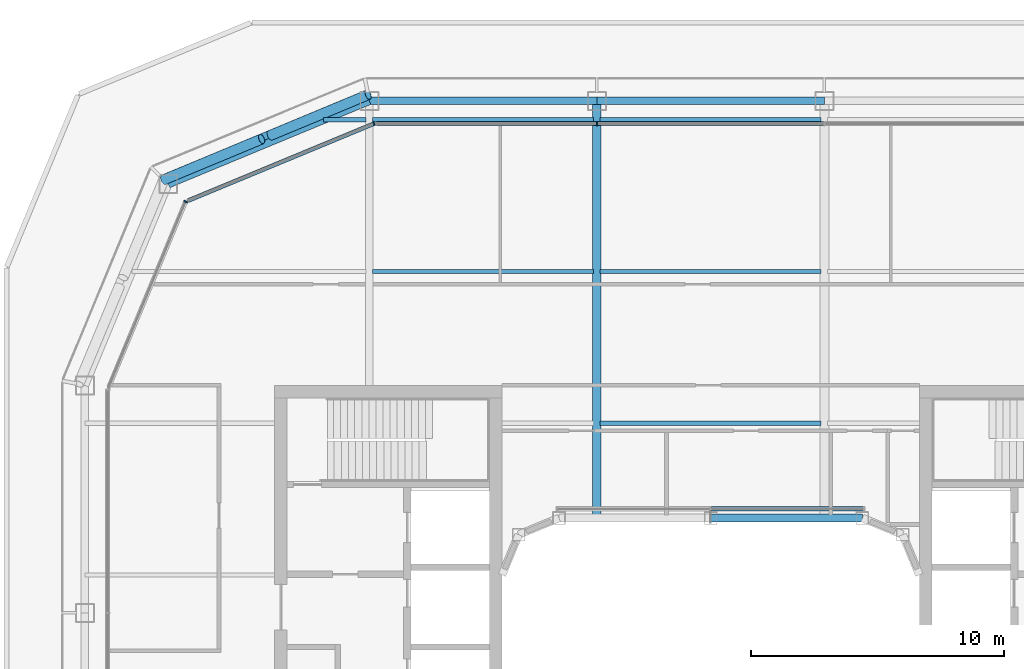
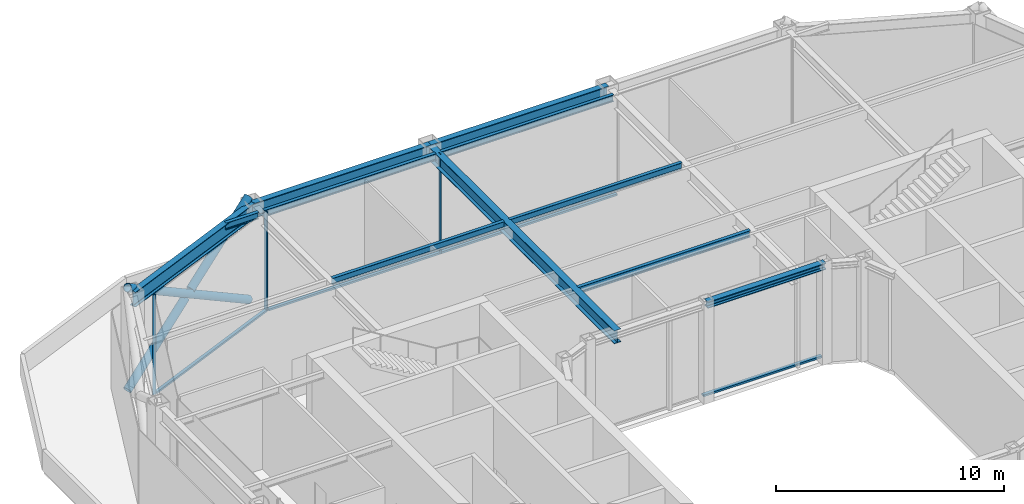
# One storey, part 7 of 17: 11 beams, 10 members, 4 elements without a shape of their own.
"""IFC4 building model written with IfcOpenShell, lengths in metres."""

from ifc_helpers import new_model, si_unit, direction, frame, origin, origin_2d, place, context, subcontext, project, spatial, rectangle, hollow_circle, i_section, extrude, material, layer, layer_set, material_profile, profile_set, type_object, element, aggregate, save


model = new_model("IFC4")

# Units and contexts
model_context = context("Model", 3, precision=1e-05, world=origin(), true_north=direction((0.0, 1.0)))
body_context = subcontext(model_context, "Body", "Model", "MODEL_VIEW")
ifc_project = project(units=[si_unit("LENGTHUNIT", "METRE"), si_unit("AREAUNIT", "SQUARE_METRE"), si_unit("VOLUMEUNIT", "CUBIC_METRE"), si_unit("PLANEANGLEUNIT", "RADIAN"), si_unit("MASSUNIT", "GRAM", prefix="KILO")], contexts=[model_context])

# Site, building, storey
site_placement = place(None, origin())
site = spatial("IfcSite", under=ifc_project, at=site_placement, CompositionType="ELEMENT")
building_placement = place(site_placement, origin())
building = spatial("IfcBuilding", under=site, at=building_placement, Name="Siwar Civic Tower", CompositionType="ELEMENT")
storey_placement = place(building_placement, frame((0.0, 0.0, 284.199951171875)))
storey = spatial("IfcBuildingStorey", under=building, at=storey_placement, Name="L61", CompositionType="ELEMENT", Elevation=284.199951171875)

# Curtain wall, member
ifc_material_1 = material(Name="Aluminium and glass", Category="aluminium")
ifc_layer_1 = layer(ifc_material_1, 0.159912109375)
ifc_layer_set_1 = layer_set([ifc_layer_1], Name="Aluminium and glass")
curtain_wall_type_1 = type_object("IfcCurtainWallType", Name="ENV-CW-D", PredefinedType="NOTDEFINED", material=ifc_layer_set_1)
curtain_wall_1_placement = place(storey_placement, origin())
curtain_wall_1 = element("IfcCurtainWall", 1, at=curtain_wall_1_placement, inside=storey, type_object=curtain_wall_type_1, Name="Curtain wall D N", PredefinedType="NOTDEFINED")
ifc_material_2 = material(Name="Aluminium 6063-T6", Category="aluminium")
ifc_material_profile_1 = material_profile(ifc_material_2, rectangle(XDim=0.159912109375, YDim=0.06005859375, at=origin_2d()), Name="AL 160x60")
ifc_profile_set_1 = profile_set([ifc_material_profile_1], Name="Aluminium 6063-T6")
member_type_1 = type_object("IfcMemberType", Name="ENV-MULLION-D", PredefinedType="MULLION", material=ifc_profile_set_1)
member_1_placement = place(storey_placement, frame((-4.5, 23.85009765625, 0.0), z_axis=(0.0, 0.0, 1.0), x_axis=(0.0, -1.0, 0.0)))
member_1 = element("IfcMember", 2, at=member_1_placement, type_object=member_type_1, Name="Mullion D N 3", PredefinedType="MULLION", context=body_context, shape_type="SweptSolid", body=[
    extrude(rectangle(XDim=0.159912109375, YDim=0.06005859375, at=origin_2d()), origin(), (0.0, 0.0, 1.0), 5.35009765625),
])

ifc_material_3 = material(Name="Aluminium clad insulated panel", Category="aluminium")
ifc_layer_2 = layer(ifc_material_3, 0.159912109375)
ifc_layer_set_2 = layer_set([ifc_layer_2], Name="Aluminium clad insulated panel")
curtain_wall_type_2 = type_object("IfcCurtainWallType", Name="ENV-CW-DX", PredefinedType="NOTDEFINED", material=ifc_layer_set_2)
curtain_wall_2_placement = place(storey_placement, origin())
curtain_wall_2 = element("IfcCurtainWall", 3, at=curtain_wall_2_placement, inside=storey, type_object=curtain_wall_type_2, Name="Curtain wall D NW1", PredefinedType="NOTDEFINED")
member_2_placement = place(storey_placement, frame((-13.321044921875, 23.85009765625, 0.0), z_axis=(0.0, 0.0, 1.0), x_axis=(0.382683432365, -0.923879532511, 0.0)))
member_2 = element("IfcMember", 4, at=member_2_placement, type_object=member_type_1, Name="Mullion D NW1 1", PredefinedType="MULLION", context=body_context, shape_type="SweptSolid", body=[
    extrude(rectangle(XDim=0.159912109375, YDim=0.06005859375, at=origin_2d()), origin(), (0.0, 0.0, 1.0), 5.35009765625),
])

curtain_wall_3_placement = place(storey_placement, origin())
curtain_wall_3 = element("IfcCurtainWall", 5, at=curtain_wall_3_placement, inside=storey, type_object=curtain_wall_type_2, Name="Curtain wall D NW2", PredefinedType="NOTDEFINED")
member_3_placement = place(storey_placement, frame((-20.76611328125, 20.76611328125, 0.0), z_axis=(0.0, 0.0, 1.0), x_axis=(0.923879532511, -0.382683432365, 0.0)))
member_3 = element("IfcMember", 6, at=member_3_placement, type_object=member_type_1, Name="Mullion D NW2 1", PredefinedType="MULLION", context=body_context, shape_type="SweptSolid", body=[
    extrude(rectangle(XDim=0.159912109375, YDim=0.06005859375, at=origin_2d()), origin(), (0.0, 0.0, 1.0), 5.35009765625),
])
aggregate(curtain_wall_3, [member_3])

# Member
ifc_material_4 = material(Name="Aluminium 6063-T6", Category="aluminium")
ifc_material_profile_2 = material_profile(ifc_material_4, rectangle(XDim=0.159912109375, YDim=0.10009765625, at=origin_2d()), Name="AL 160x100")
ifc_profile_set_2 = profile_set([ifc_material_profile_2], Name="Aluminium 6063-T6")
member_type_2 = type_object("IfcMemberType", Name="ENV-TRANSOM-D", PredefinedType="USERDEFINED", material=ifc_profile_set_2)
member_4_placement = place(storey_placement, frame((4.469970703125, 23.85009765625, 0.050048828125), z_axis=(-1.0, 0.0, 0.0), x_axis=(0.0, -1.0, 0.0)))
member_4 = element("IfcMember", 7, at=member_4_placement, type_object=member_type_2, Name="Transom D N 2", ObjectType="TRANSOM", PredefinedType="USERDEFINED", context=body_context, shape_type="SweptSolid", body=[
    extrude(rectangle(XDim=0.159912109375, YDim=0.10009765625, at=origin_2d()), origin(), (0.0, 0.0, 1.0), 8.93994140625),
])

member_5_placement = place(storey_placement, frame((-4.530029296875, 23.85009765625, 0.050048828125), z_axis=(-1.0, 0.0, 0.0), x_axis=(0.0, -1.0, 0.0)))
member_5 = element("IfcMember", 8, at=member_5_placement, type_object=member_type_2, Name="Transom D N 3", ObjectType="TRANSOM", PredefinedType="USERDEFINED", context=body_context, shape_type="SweptSolid", body=[
    extrude(rectangle(XDim=0.159912109375, YDim=0.10009765625, at=origin_2d()), origin(), (0.0, 0.0, 1.0), 8.693115234375),
])

aggregate(curtain_wall_1, [member_1, member_4, member_5])

member_6_placement = place(storey_placement, frame((-13.3486328125, 23.838623046875, 0.050048828125), z_axis=(-0.923872756612, -0.382699790424, 0.0), x_axis=(0.382699790424, -0.923872756612, 0.0)))
member_6 = element("IfcMember", 9, at=member_6_placement, type_object=member_type_2, Name="Transom D NW1 1", ObjectType="TRANSOM", PredefinedType="USERDEFINED", context=body_context, shape_type="SweptSolid", body=[
    extrude(rectangle(XDim=0.159912109375, YDim=0.10009765625, at=origin_2d()), origin(), (0.0, 0.0, 1.0), 7.930908203125),
])

aggregate(curtain_wall_2, [member_2, member_6])

# Curtain wall, member
ifc_material_5 = material(Name="Aluminium and glass", Category="aluminium")
ifc_layer_3 = layer(ifc_material_5, 0.179931640625)
ifc_layer_set_3 = layer_set([ifc_layer_3], Name="Aluminium and glass")
curtain_wall_type_3 = type_object("IfcCurtainWallType", Name="ENV-CW-W", PredefinedType="NOTDEFINED", material=ifc_layer_set_3)
curtain_wall_4_placement = place(storey_placement, origin())
curtain_wall_4 = element("IfcCurtainWall", 10, at=curtain_wall_4_placement, inside=storey, type_object=curtain_wall_type_3, Name="Curtain wall W WN", PredefinedType="NOTDEFINED")
ifc_material_6 = material(Name="Aluminium 6063-T6", Category="aluminium")
ifc_material_profile_3 = material_profile(ifc_material_6, rectangle(XDim=0.179931640625, YDim=0.10009765625, at=origin_2d()), Name="AL 180x100")
ifc_profile_set_3 = profile_set([ifc_material_profile_3], Name="Aluminium 6063-T6")
member_type_3 = type_object("IfcMemberType", Name="ENV-TRANSOM-W", PredefinedType="USERDEFINED", material=ifc_profile_set_3)
member_7_placement = place(storey_placement, frame((6.04150390625, 8.610107421875, 0.050048828125), z_axis=(-1.0, 0.0, 0.0), x_axis=(0.0, -1.0, 0.0)))
member_7 = element("IfcMember", 11, at=member_7_placement, type_object=member_type_3, Name="Transom W WN 1", ObjectType="TRANSOM", PredefinedType="USERDEFINED", context=body_context, shape_type="SweptSolid", body=[
    extrude(rectangle(XDim=0.179931640625, YDim=0.10009765625, at=origin_2d()), origin(), (0.0, 0.0, 1.0), 6.011474609375),
])
aggregate(curtain_wall_4, [member_7])

# Members
ifc_material_7 = material(Name="Steel S355", Category="steel")
ifc_material_profile_4 = material_profile(ifc_material_7, hollow_circle(Radius=0.203125, WallThickness=0.01611328125, at=origin_2d()), Name="CHS406.4x16")
ifc_profile_set_4 = profile_set([ifc_material_profile_4], Name="Steel S355")
member_type_4 = type_object("IfcMemberType", Name="STR-BR-CHS406.4x16", PredefinedType="BRACE", material=ifc_profile_set_4)
member_8_placement = place(storey_placement, frame((-13.548828125, 24.9951171875, 0.0), z_axis=(-0.781791416726, -0.325297769627, 0.531961974025), x_axis=(0.384163874976, -0.923264922524, 0.0)))
element("IfcMember", 12, at=member_8_placement, inside=storey, type_object=member_type_4, Name="L61/brc/DNW1-0-0-0", PredefinedType="BRACE", context=body_context, shape_type="SweptSolid", body=[
    extrude(hollow_circle(Radius=0.203125, WallThickness=0.01611328125, at=origin_2d()), origin(), (0.0, 0.0, 1.0), 10.339111328125),
])
member_9_placement = place(storey_placement, frame((-21.6318359375, 21.6318359375, 0.0), z_axis=(0.78178639759, 0.325283916312, 0.531977821278), x_axis=(-0.384152031417, 0.923269850454, 0.0)))
element("IfcMember", 13, at=member_9_placement, inside=storey, type_object=member_type_4, Name="L61/brc/DNW1-0-0-4", PredefinedType="BRACE", context=body_context, shape_type="SweptSolid", body=[
    extrude(hollow_circle(Radius=0.203125, WallThickness=0.01611328125, at=origin_2d()), origin(), (0.0, 0.0, 1.0), 4.94921875),
])
member_10_placement = place(storey_placement, frame((-17.417724609375, 23.38525390625, 2.867431640625), z_axis=(0.781787733428, 0.325304998689, 0.531962966464), x_axis=(-0.38417269508, 0.923261252493, 0.0)))
element("IfcMember", 14, at=member_10_placement, inside=storey, type_object=member_type_4, Name="L61/brc/DNW1-0-0-5", PredefinedType="BRACE", context=body_context, shape_type="SweptSolid", body=[
    extrude(hollow_circle(Radius=0.203125, WallThickness=0.01611328125, at=origin_2d()), origin(), (0.0, 0.0, 1.0), 4.94873046875),
])

# Beams
ifc_material_8 = material(Name="Steel S355", Category="steel")
ifc_material_profile_5 = material_profile(ifc_material_8, i_section(OverallWidth=0.169921875, OverallDepth=0.360107421875, WebThickness=0.008056640625, FlangeThickness=0.0126953125, FilletRadius=0.01806640625, at=origin_2d()), Name="IPE360")
ifc_profile_set_5 = profile_set([ifc_material_profile_5], Name="Steel S355")
beam_type_1 = type_object("IfcBeamType", Name="STR-FB-IPE360", PredefinedType="JOIST", material=ifc_profile_set_5)
for number, where, z_axis, x_axis, name in (
    (15, (-4.3701171875, 12.0, 5.170166015625), (1.0, 0.0, 0.0), (0.0, 1.0, 0.0), "L61/bm/F024"),
    (16, (-13.3701171875, 18.0, 5.170166015625), (1.0, 0.0, 0.0), (0.0, 1.0, 0.0), "L61/bm/F028"),
    (17, (-4.3701171875, 18.0, 5.170166015625), (1.0, 0.0, 0.0), (0.0, 1.0, 0.0), "L61/bm/F029"),
):
    element("IfcBeam", number, at=place(storey_placement, frame(where, z_axis=z_axis, x_axis=x_axis)), inside=storey, type_object=beam_type_1, Name=name, PredefinedType="JOIST", context=body_context, shape_type="SweptSolid", body=[
        extrude(i_section(OverallWidth=0.169921875, OverallDepth=0.360107421875, WebThickness=0.008056640625, FlangeThickness=0.0126953125, FilletRadius=0.01806640625, at=origin_2d()), origin(), (0.0, 0.0, 1.0), 8.740234375),
    ])
beam_1_placement = place(storey_placement, frame((-15.310546875, 24.0, 5.170166015625), z_axis=(1.0, 0.0, 0.0), x_axis=(0.0, 1.0, 0.0)))
element("IfcBeam", 18, at=beam_1_placement, inside=storey, type_object=beam_type_1, Name="L61/bm/F032", PredefinedType="JOIST", context=body_context, shape_type="SweptSolid", body=[
    extrude(i_section(OverallWidth=0.169921875, OverallDepth=0.360107421875, WebThickness=0.008056640625, FlangeThickness=0.0126953125, FilletRadius=0.01806640625, at=origin_2d()), origin(), (0.0, 0.0, 1.0), 1.6806640625),
])
for number, where, z_axis, x_axis, name in (
    (19, (-13.3701171875, 24.0, 5.170166015625), (1.0, 0.0, 0.0), (0.0, 1.0, 0.0), "L61/bm/F033"),
    (20, (-4.3701171875, 24.0, 5.170166015625), (1.0, 0.0, 0.0), (0.0, 1.0, 0.0), "L61/bm/F034"),
):
    element("IfcBeam", number, at=place(storey_placement, frame(where, z_axis=z_axis, x_axis=x_axis)), inside=storey, type_object=beam_type_1, Name=name, PredefinedType="JOIST", context=body_context, shape_type="SweptSolid", body=[
        extrude(i_section(OverallWidth=0.169921875, OverallDepth=0.360107421875, WebThickness=0.008056640625, FlangeThickness=0.0126953125, FilletRadius=0.01806640625, at=origin_2d()), origin(), (0.0, 0.0, 1.0), 8.740234375),
    ])
ifc_material_9 = material(Name="Steel S355", Category="steel")
ifc_material_profile_6 = material_profile(ifc_material_9, i_section(OverallWidth=0.340087890625, OverallDepth=0.699951171875, WebThickness=0.013916015625, FlangeThickness=0.030029296875, at=origin_2d()), Name="PG700x340x14x30")
ifc_profile_set_6 = profile_set([ifc_material_profile_6], Name="Steel S355")
beam_type_2 = type_object("IfcBeamType", Name="STR-PG-PG700x340x14x30", PredefinedType="BEAM", material=ifc_profile_set_6)
beam_2_placement = place(storey_placement, frame((-4.5, 8.25, 5.0), z_axis=(0.0, 1.0, 0.0), x_axis=(-1.0, 0.0, 0.0)))
element("IfcBeam", 21, at=beam_2_placement, inside=storey, type_object=beam_type_2, Name="L61/bm/G04", PredefinedType="BEAM", context=body_context, shape_type="SweptSolid", body=[
    extrude(i_section(OverallWidth=0.340087890625, OverallDepth=0.699951171875, WebThickness=0.013916015625, FlangeThickness=0.030029296875, at=origin_2d()), origin(), (0.0, 0.0, 1.0), 16.5),
])
ifc_material_10 = material(Name="Steel S355", Category="steel")
ifc_material_profile_7 = material_profile(ifc_material_10, i_section(OverallWidth=0.31005859375, OverallDepth=0.340087890625, WebThickness=0.02099609375, FlangeThickness=0.0390625, FilletRadius=0.027099609375, at=origin_2d()), Name="HEM300")
ifc_profile_set_7 = profile_set([ifc_material_profile_7], Name="Steel S355")
beam_type_3 = type_object("IfcBeamType", Name="STR-RB-HEM300", PredefinedType="BEAM", material=ifc_profile_set_7)
beam_3_placement = place(storey_placement, frame((0.0, 8.25, 5.179931640625), z_axis=(1.0, 0.0, 0.0), x_axis=(0.0, 1.0, 0.0)))
element("IfcBeam", 22, at=beam_3_placement, inside=storey, type_object=beam_type_3, Name="L61/bm/RN2", PredefinedType="BEAM", context=body_context, shape_type="SweptSolid", body=[
    extrude(i_section(OverallWidth=0.31005859375, OverallDepth=0.340087890625, WebThickness=0.02099609375, FlangeThickness=0.0390625, FilletRadius=0.027099609375, at=origin_2d()), origin(), (0.0, 0.0, 1.0), 6.0),
])
ifc_material_11 = material(Name="Steel S355", Category="steel")
ifc_material_profile_8 = material_profile(ifc_material_11, i_section(OverallWidth=0.300048828125, OverallDepth=0.800048828125, WebThickness=0.017578125, FlangeThickness=0.032958984375, FilletRadius=0.030029296875, at=origin_2d()), Name="HEB800")
ifc_profile_set_8 = profile_set([ifc_material_profile_8], Name="Steel S355")
beam_type_4 = type_object("IfcBeamType", Name="STR-SB-HEB800", PredefinedType="BEAM", material=ifc_profile_set_8)
for number, where, z_axis, x_axis, name in (
    (23, (4.5, 24.75, 4.949951171875), (-1.0, 0.0, 0.0), (0.0, -1.0, 0.0), "L61/bm/SN-1"),
    (24, (-4.5, 24.75, 4.949951171875), (-1.0, 0.0, 0.0), (0.0, -1.0, 0.0), "L61/bm/SN-2"),
):
    element("IfcBeam", number, at=place(storey_placement, frame(where, z_axis=z_axis, x_axis=x_axis)), inside=storey, type_object=beam_type_4, Name=name, PredefinedType="BEAM", context=body_context, shape_type="SweptSolid", body=[
        extrude(i_section(OverallWidth=0.300048828125, OverallDepth=0.800048828125, WebThickness=0.017578125, FlangeThickness=0.032958984375, FilletRadius=0.030029296875, at=origin_2d()), origin(), (0.0, 0.0, 1.0), 9.0),
    ])
beam_4_placement = place(storey_placement, frame((-13.5, 24.75, 4.949951171875), z_axis=(-0.923872720536, -0.382699877515, 0.0), x_axis=(0.382699877515, -0.923872720536, 0.0)))
element("IfcBeam", 25, at=beam_4_placement, inside=storey, type_object=beam_type_4, Name="L61/bm/SNW1-0", PredefinedType="BEAM", context=body_context, shape_type="SweptSolid", body=[
    extrude(i_section(OverallWidth=0.300048828125, OverallDepth=0.800048828125, WebThickness=0.017578125, FlangeThickness=0.032958984375, FilletRadius=0.030029296875, at=origin_2d()), origin(), (0.0, 0.0, 1.0), 8.6103515625),
])

save(model, "model.ifc")
